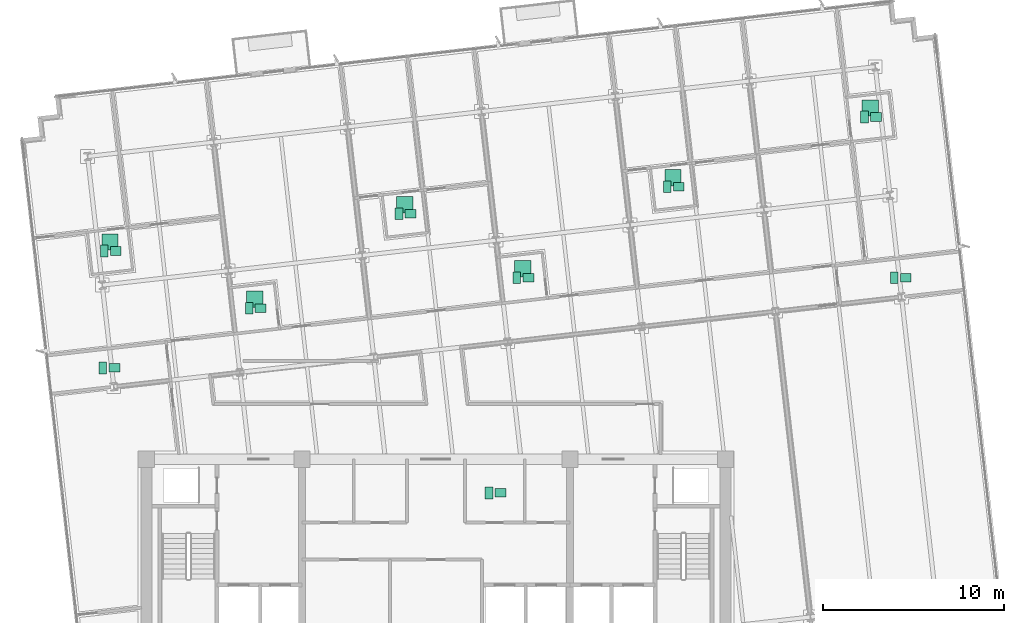
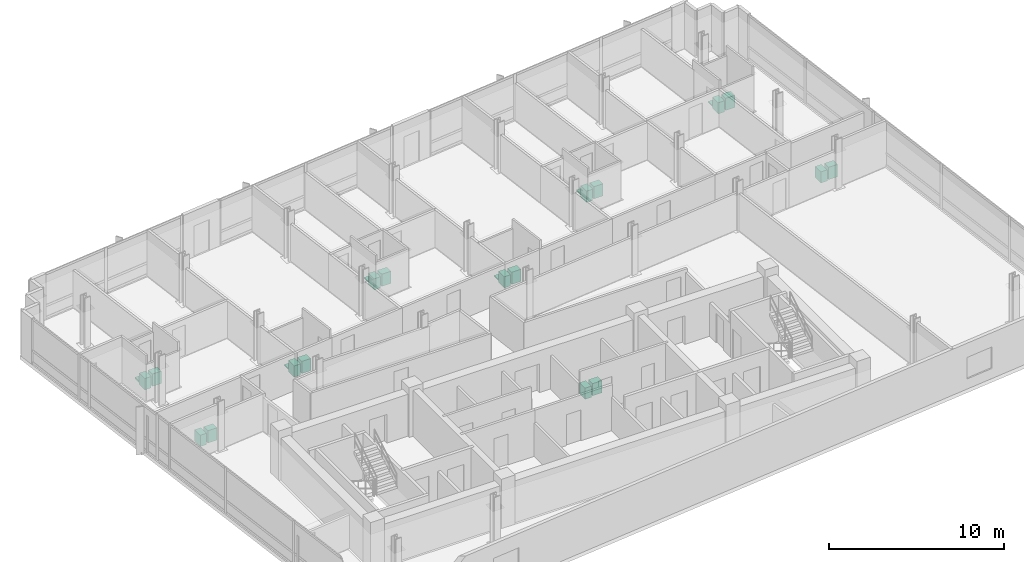
# One storey, part 17 of 17: 24 sanitary terminals.
"""IFC4 building model written with IfcOpenShell, lengths in metres."""

from ifc_helpers import new_model, si_unit, direction, frame, origin, origin_2d, place, context, subcontext, project, spatial, rectangle, extrude, material, type_object, element, save


model = new_model("IFC4")

# Units and contexts
model_context = context("Model", 3, precision=1e-05, world=origin(), true_north=direction((0.0, 1.0)))
body_context = subcontext(model_context, "Body", "Model", "MODEL_VIEW")
ifc_project = project(units=[si_unit("LENGTHUNIT", "METRE"), si_unit("AREAUNIT", "SQUARE_METRE"), si_unit("VOLUMEUNIT", "CUBIC_METRE"), si_unit("PLANEANGLEUNIT", "RADIAN"), si_unit("MASSUNIT", "GRAM", prefix="KILO")], contexts=[model_context])

# Site, building, storey
site_placement = place(None, origin())
site = spatial("IfcSite", under=ifc_project, at=site_placement, CompositionType="ELEMENT")
building_placement = place(site_placement, origin())
building = spatial("IfcBuilding", under=site, at=building_placement, Name="Solmavex Isthmus Hotel", CompositionType="ELEMENT")
storey_placement = place(building_placement, frame((0.0, 0.0, 202.050048828125)))
storey = spatial("IfcBuildingStorey", under=building, at=storey_placement, Name="L54", CompositionType="ELEMENT", Elevation=202.050048828125)

# Sanitary terminals
ifc_material = material(Name="Vitreous china ceramic", Category="ceramic")
sanitary_terminal_type_1 = type_object("IfcSanitaryTerminalType", Name="SAN-BASIN", PredefinedType="WASHHANDBASIN", material=ifc_material)
for number, where, z_axis, x_axis, name in (
    (1, (3.570068359375, -4.360107421875, 0.0), (0.0, 0.0, 1.0), (1.0, 0.0, 0.0), "Vanity Washbasin L54-255"),
    (2, (-17.68798828125, 9.004638671875, 0.0), (0.0, 0.0, 1.0), (1.0, 0.0, 0.0), "Vanity Washbasin L54-256"),
    (3, (-9.6845703125, 5.84228515625, 0.0), (0.0, 0.0, 1.0), (1.0, 0.0, 0.0), "Vanity Washbasin L54-257"),
    (4, (-1.4033203125, 11.061279296875, 0.0), (0.0, 0.0, 1.0), (1.0, 0.0, 0.0), "Vanity Washbasin L54-258"),
    (5, (5.11181640625, 7.5283203125, 0.0), (0.0, 0.0, 1.0), (1.0, 0.0, 0.0), "Vanity Washbasin L54-259"),
    (6, (13.415771484375, 12.548583984375, 0.0), (0.0, 0.0, 1.0), (1.0, 0.0, 0.0), "Vanity Washbasin L54-260"),
    (7, (24.31591796875, 16.4072265625, 0.0), (0.0, 0.0, 1.0), (1.0, 0.0, 0.0), "Vanity Washbasin L54-261"),
    (8, (-17.761474609375, 2.546875, 0.0), (0.0, 0.0, 1.0), (1.0, 0.0, 0.0), "Vanity Washbasin L54-262"),
    (9, (25.956787109375, 7.52783203125, 0.0), (0.0, 0.0, 1.0), (1.0, 0.0, 0.0), "Vanity Washbasin L54-263"),
):
    element("IfcSanitaryTerminal", number, at=place(storey_placement, frame(where, z_axis=z_axis, x_axis=x_axis)), inside=storey, type_object=sanitary_terminal_type_1, Name=name, PredefinedType="WASHHANDBASIN", context=body_context, shape_type="SweptSolid", body=[
        extrude(rectangle(XDim=0.60009765625, YDim=0.47998046875, at=origin_2d()), origin(), (0.0, 0.0, 1.0), 0.85009765625),
    ])
sanitary_terminal_type_2 = type_object("IfcSanitaryTerminalType", Name="SAN-SHOWER", PredefinedType="SHOWER", material=ifc_material)
for number, where, z_axis, x_axis, name in (
    (10, (-18.008056640625, 9.504638671875, 0.0), (0.0, 0.0, 1.0), (1.0, 0.0, 0.0), "Walk-In Shower L54-256"),
    (11, (-10.004638671875, 6.34228515625, 0.0), (0.0, 0.0, 1.0), (1.0, 0.0, 0.0), "Walk-In Shower L54-257"),
    (12, (-1.72314453125, 11.561279296875, 0.0), (0.0, 0.0, 1.0), (1.0, 0.0, 0.0), "Walk-In Shower L54-258"),
    (13, (4.791748046875, 8.0283203125, 0.0), (0.0, 0.0, 1.0), (1.0, 0.0, 0.0), "Walk-In Shower L54-259"),
    (14, (13.095703125, 13.048583984375, 0.0), (0.0, 0.0, 1.0), (1.0, 0.0, 0.0), "Walk-In Shower L54-260"),
    (15, (23.99609375, 16.9072265625, 0.0), (0.0, 0.0, 1.0), (1.0, 0.0, 0.0), "Walk-In Shower L54-261"),
):
    element("IfcSanitaryTerminal", number, at=place(storey_placement, frame(where, z_axis=z_axis, x_axis=x_axis)), inside=storey, type_object=sanitary_terminal_type_2, Name=name, PredefinedType="SHOWER", context=body_context, shape_type="SweptSolid", body=[
        extrude(rectangle(XDim=0.89990234375, YDim=0.89990234375, at=origin_2d()), origin(), (0.0, 0.0, 1.0), 0.080078125),
    ])
sanitary_terminal_type_3 = type_object("IfcSanitaryTerminalType", Name="SAN-WC-SUITE", PredefinedType="TOILETPAN", material=ifc_material)
for number, where, z_axis, x_axis, name in (
    (16, (2.929931640625, -4.360107421875, 0.0), (0.0, 0.0, 1.0), (1.0, 0.0, 0.0), "Water Closet L54-255"),
    (17, (-18.327880859375, 9.004638671875, 0.0), (0.0, 0.0, 1.0), (1.0, 0.0, 0.0), "Water Closet L54-256"),
    (18, (-10.32470703125, 5.84228515625, 0.0), (0.0, 0.0, 1.0), (1.0, 0.0, 0.0), "Water Closet L54-257"),
    (19, (-2.043212890625, 11.061279296875, 0.0), (0.0, 0.0, 1.0), (1.0, 0.0, 0.0), "Water Closet L54-258"),
    (20, (4.4716796875, 7.5283203125, 0.0), (0.0, 0.0, 1.0), (1.0, 0.0, 0.0), "Water Closet L54-259"),
    (21, (12.775634765625, 12.548583984375, 0.0), (0.0, 0.0, 1.0), (1.0, 0.0, 0.0), "Water Closet L54-260"),
    (22, (23.676025390625, 16.4072265625, 0.0), (0.0, 0.0, 1.0), (1.0, 0.0, 0.0), "Water Closet L54-261"),
    (23, (-18.401611328125, 2.546875, 0.0), (0.0, 0.0, 1.0), (1.0, 0.0, 0.0), "Water Closet L54-262"),
    (24, (25.316650390625, 7.52783203125, 0.0), (0.0, 0.0, 1.0), (1.0, 0.0, 0.0), "Water Closet L54-263"),
):
    element("IfcSanitaryTerminal", number, at=place(storey_placement, frame(where, z_axis=z_axis, x_axis=x_axis)), inside=storey, type_object=sanitary_terminal_type_3, Name=name, PredefinedType="TOILETPAN", context=body_context, shape_type="SweptSolid", body=[
        extrude(rectangle(XDim=0.419921875, YDim=0.64990234375, at=origin_2d()), origin(), (0.0, 0.0, 1.0), 0.780029296875),
    ])

save(model, "model.ifc")
